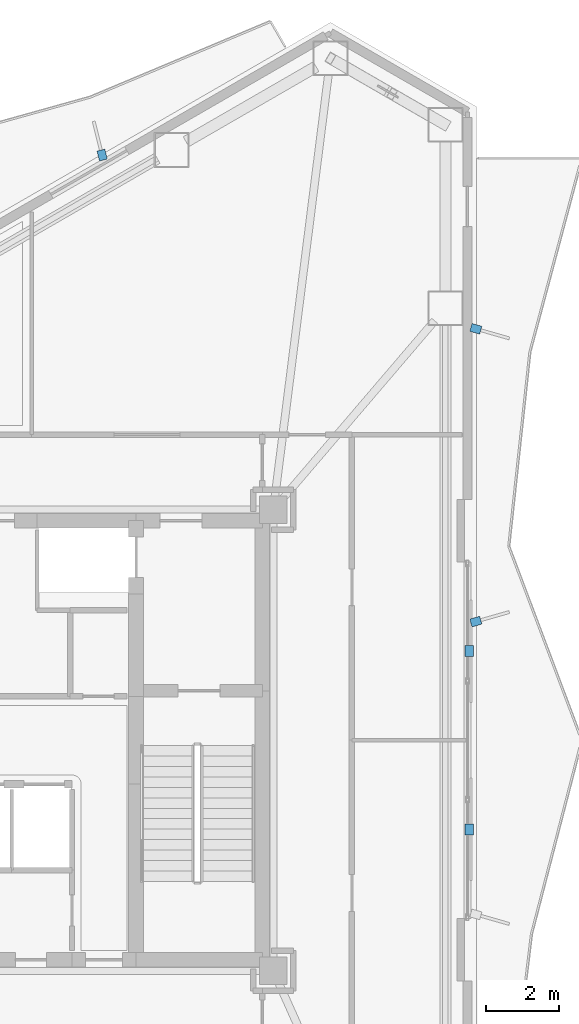
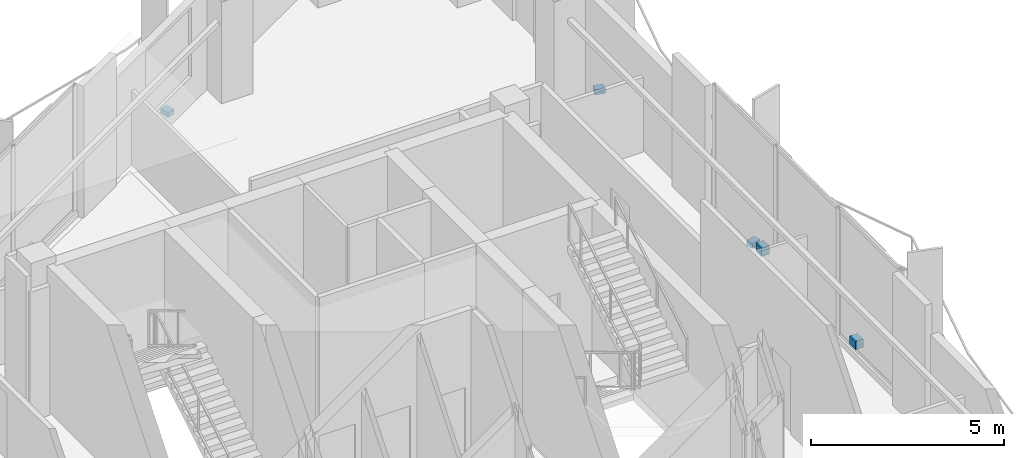
# One storey, part 16 of 18: 5 discrete accessories.
"""IFC4 building model written with IfcOpenShell, lengths in metres."""

import ifcopenshell
import ifcopenshell.guid

model = None  # the IFC model being written
_history = None  # IfcOwnerHistory: only IFC2X3 demands one
_inside = {}  # id of a spatial element -> (the spatial element, [elements in it])
_under = {}  # id of a project, library or spatial element -> (it, [spatial elements below it])
_declared = {}  # id of a project -> (the project, [libraries it declares])
_typed = {}  # id of a type object -> (the type object, [elements of that type])
_made_of = {}  # id of a material, layer set ... -> (it, [elements and type objects made of it])


def new_model(schema):
    """Start an empty IFC model of exactly this schema.

    Asked for "IFC4X3", IfcOpenShell would pick the latest addendum, in which some entities
    have other attributes; the version numbers below select the first issue.
    IFC2X3 requires an IfcOwnerHistory on every rooted entity: one is made here for all.
    """
    global model, _history
    if schema == "IFC4X3":
        model = ifcopenshell.file(schema_version=(4, 3, 0, 0))
    else:
        model = ifcopenshell.file(schema=schema)
    _inside.clear()
    _under.clear()
    _declared.clear()
    _typed.clear()
    _made_of.clear()
    _history = None
    if model.schema == "IFC2X3":
        org = make("IfcOrganization", Name="unknown")
        user = make(
            "IfcPersonAndOrganization",
            ThePerson=make("IfcPerson", FamilyName="unknown"),
            TheOrganization=org,
        )
        app = make(
            "IfcApplication",
            ApplicationDeveloper=org,
            Version="unknown",
            ApplicationFullName="unknown",
            ApplicationIdentifier="unknown",
        )
        _history = make(
            "IfcOwnerHistory",
            OwningUser=user,
            OwningApplication=app,
            ChangeAction="ADDED",
            CreationDate=0,
        )
    return model


def make(cls, **values):
    """One entity of the class cls with the attributes given. An attribute that is None is left unset."""
    return model.create_entity(
        cls, **{name: value for name, value in values.items() if value is not None}
    )


def rooted(cls, **values):
    """An entity with a GlobalId (a new one), such as an element, a storey or a relation."""
    return make(cls, GlobalId=ifcopenshell.guid.new(), OwnerHistory=_history, **values)


def si_unit(unit_type, name, prefix=None):
    """IfcSIUnit, for example si_unit("LENGTHUNIT", "METRE", prefix="MILLI")."""
    return make("IfcSIUnit", UnitType=unit_type, Prefix=prefix, Name=name)


def assignment(units):
    """IfcUnitAssignment: the units of a project."""
    return None if units is None else make("IfcUnitAssignment", Units=units)


def point(xyz):
    """IfcCartesianPoint."""
    return None if xyz is None else make("IfcCartesianPoint", Coordinates=xyz)


def direction(xyz):
    """IfcDirection."""
    return None if xyz is None else make("IfcDirection", DirectionRatios=xyz)


def frame(location, z_axis=None, x_axis=None):
    """IfcAxis2Placement3D, a coordinate frame: its origin and axes. An axis left out is left unset."""
    return make(
        "IfcAxis2Placement3D",
        Location=point(location),
        Axis=direction(z_axis),
        RefDirection=direction(x_axis),
    )


def frame_2d(location, x_axis=None):
    """IfcAxis2Placement2D, a coordinate frame in the plane: its origin and x axis."""
    return make(
        "IfcAxis2Placement2D", Location=point(location), RefDirection=direction(x_axis)
    )


def origin():
    """The frame at (0, 0, 0) with its axes left unset."""
    return frame((0.0, 0.0, 0.0))


def origin_2d():
    """The frame at (0, 0) in the plane with its x axis left unset."""
    return frame_2d((0.0, 0.0))


def place(relative_to, where):
    """IfcLocalPlacement: puts the frame where relative to a parent placement (None: the world)."""
    return make(
        "IfcLocalPlacement", PlacementRelTo=relative_to, RelativePlacement=where
    )


def context(
    kind, dimensions, precision=None, world=None, true_north=None, identifier=None
):
    """IfcGeometricRepresentationContext, for example the 3D "Model" context."""
    return make(
        "IfcGeometricRepresentationContext",
        ContextIdentifier=identifier,
        ContextType=kind,
        CoordinateSpaceDimension=dimensions,
        Precision=precision,
        WorldCoordinateSystem=world,
        TrueNorth=true_north,
    )


def subcontext(parent, identifier, kind, view, scale=None):
    """IfcGeometricRepresentationSubContext, for example "Body" below "Model"."""
    return make(
        "IfcGeometricRepresentationSubContext",
        ContextIdentifier=identifier,
        ContextType=kind,
        ParentContext=parent,
        TargetScale=scale,
        TargetView=view,
    )


def project(units=None, contexts=None):
    """IfcProject with its units and contexts."""
    return rooted(
        "IfcProject",
        Name="project",
        RepresentationContexts=contexts,
        UnitsInContext=assignment(units),
    )


def spatial(cls, under=None, at=None, **own):
    """A site, building, storey or space (cls), placed at a placement, below another one or the project."""
    s = rooted(cls, ObjectPlacement=at, **own)
    if under is not None:
        _under.setdefault(under.id(), (under, []))[1].append(s)
    return s


def profile(cls, at=None, kind="AREA", **sizes):
    """A parametric profile (cls). Its sizes go by their IFC names, for example OverallWidth=200.0."""
    return make(cls, ProfileType=kind, Position=at, **sizes)


def rectangle(**sizes):
    """IfcRectangleProfileDef."""
    return profile("IfcRectangleProfileDef", **sizes)


def extrude(swept, where, along, depth):
    """IfcExtrudedAreaSolid: the profile swept, set in the frame where, extruded along a direction by depth."""
    return make(
        "IfcExtrudedAreaSolid",
        SweptArea=swept,
        Position=where,
        ExtrudedDirection=direction(along),
        Depth=depth,
    )


def shape(context_of_items, identifier, shape_type, items):
    """IfcShapeRepresentation: the items that make up one representation, for example the "Body"."""
    return make(
        "IfcShapeRepresentation",
        ContextOfItems=context_of_items,
        RepresentationIdentifier=identifier,
        RepresentationType=shape_type,
        Items=items,
    )


def material(Name=None, Category=None):
    """IfcMaterial."""
    return make("IfcMaterial", Name=Name, Category=Category)


def layer(
    of_material, thickness, ventilated=None, Name=None, Category=None, Priority=None
):
    """IfcMaterialLayer: one layer of a wall or slab, of a material (None: an air gap)."""
    return make(
        "IfcMaterialLayer",
        Material=of_material,
        LayerThickness=thickness,
        IsVentilated=ventilated,
        Name=Name,
        Category=Category,
        Priority=Priority,
    )


def layer_set(layers, Name=None):
    """IfcMaterialLayerSet."""
    return make("IfcMaterialLayerSet", MaterialLayers=layers, LayerSetName=Name)


def made_of(thing, what):
    """Note that an element or type object is made of a material, layer set ...; save() writes the relation."""
    if what is not None:
        _made_of.setdefault(what.id(), (what, []))[1].append(thing)
    return thing


def type_object(cls, material=None, **own):
    """A type object (cls), such as IfcWallType, which elements share."""
    return made_of(rooted(cls, **own), material)


def element(
    cls,
    number,
    at=None,
    inside=None,
    cuts=None,
    type_object=None,
    material=None,
    context=None,
    identifier="Body",
    shape_type=None,
    held_by="IfcProductDefinitionShape",
    body=None,
    shapes=None,
    **own,
):
    """One element of the class cls, such as IfcWall. Its Tag is "e" and its number.

    at: its placement. inside: the storey or other place that contains it. cuts: it is an
    opening in that element (IfcRelVoidsElement). A single representation is given by context,
    identifier, shape_type and body (its items); several are given by shapes. held_by: the class
    of the entity that holds the representations. save() writes the other relations.
    """
    e = rooted(cls, Tag="e%d" % number, ObjectPlacement=at, **own)
    if body is not None:
        shapes = [shape(context, identifier, shape_type, body)]
    if shapes is not None:
        e.Representation = make(held_by, Representations=shapes)
    if inside is not None:
        _inside.setdefault(inside.id(), (inside, []))[1].append(e)
    if cuts is not None:
        rooted(
            "IfcRelVoidsElement", RelatingBuildingElement=cuts, RelatedOpeningElement=e
        )
    if type_object is not None:
        _typed.setdefault(type_object.id(), (type_object, []))[1].append(e)
    return made_of(e, material)


def aggregate(whole, parts):
    """IfcRelAggregates: a whole, such as a stair, and the parts it consists of."""
    return rooted("IfcRelAggregates", RelatingObject=whole, RelatedObjects=parts)


def save(model, path):
    """Write the relations noted so far, then the file.

    IfcRelAggregates (storeys below a building ...), IfcRelContainedInSpatialStructure (elements
    in a storey), IfcRelDefinesByType, IfcRelAssociatesMaterial and IfcRelDeclares: one each for
    every whole, place, type object, material and project.
    """
    for whole, parts in _under.values():
        aggregate(whole, parts)
    for where, things in _inside.values():
        rooted(
            "IfcRelContainedInSpatialStructure",
            RelatedElements=things,
            RelatingStructure=where,
        )
    for kind, things in _typed.values():
        rooted("IfcRelDefinesByType", RelatedObjects=things, RelatingType=kind)
    for what, things in _made_of.values():
        rooted("IfcRelAssociatesMaterial", RelatedObjects=things, RelatingMaterial=what)
    for by, libraries in _declared.values():
        rooted("IfcRelDeclares", RelatingContext=by, RelatedDefinitions=libraries)
    model.write(path)


model = new_model("IFC4")

# Units and contexts
model_context = context("Model", 3, precision=1e-05, world=origin(), true_north=direction((0.0, 1.0)))
body_context = subcontext(model_context, "Body", "Model", "MODEL_VIEW")
ifc_project = project(units=[si_unit("LENGTHUNIT", "METRE"), si_unit("AREAUNIT", "SQUARE_METRE"), si_unit("VOLUMEUNIT", "CUBIC_METRE"), si_unit("PLANEANGLEUNIT", "RADIAN"), si_unit("MASSUNIT", "GRAM", prefix="KILO")], contexts=[model_context])

# Site, building, storey
site_placement = place(None, origin())
site = spatial("IfcSite", under=ifc_project, at=site_placement, CompositionType="ELEMENT")
building_placement = place(site_placement, origin())
building = spatial("IfcBuilding", under=site, at=building_placement, Name="Mersakhor Tower and Convention Hall", CompositionType="ELEMENT")
storey_placement = place(building_placement, frame((0.0, 0.0, 170.699951171875)))
storey = spatial("IfcBuildingStorey", under=building, at=storey_placement, Name="L47", CompositionType="ELEMENT", Elevation=170.699951171875)

# Discrete accessories
ifc_material = material(Name="Galvanised steel bracket", Category="steel")
ifc_layer = layer(ifc_material, 0.02001953125)
ifc_layer_set = layer_set([ifc_layer], Name="Galvanised steel bracket")
discrete_accessory_type = type_object("IfcDiscreteAccessoryType", Name="ACC-BRK-STL", PredefinedType="BRACKET", material=ifc_layer_set)
discrete_accessory_placement = place(storey_placement, frame((31.423095703125, 42.7373046875, -0.02001953125), z_axis=(0.0, 0.0, 1.0), x_axis=(-0.2419218956, 0.970295726276, 0.0)))
element("IfcDiscreteAccessory", 1, at=discrete_accessory_placement, inside=storey, type_object=discrete_accessory_type, Name="L47 Facade Fin Base Cleat Bracket FBRK-1-3", PredefinedType="BRACKET", context=body_context, shape_type="SweptSolid", body=[
    extrude(rectangle(XDim=0.280029296875, YDim=0.219970703125, at=origin_2d()), origin(), (0.0, 0.0, 1.0), 0.159912109375),
])
for number, where, z_axis, x_axis, name in (
    (2, (41.453857421875, 29.185546875, 0.2900390625), (0.0, 0.0, 1.0), (0.0, -1.0, 0.0), "L47 Solar Screen Outrigger Bracket BRK-2-1"),
    (3, (41.453857421875, 24.314453125, 0.2900390625), (0.0, 0.0, 1.0), (0.0, -1.0, 0.0), "L47 Solar Screen Outrigger Bracket BRK-2-2"),
):
    element("IfcDiscreteAccessory", number, at=place(storey_placement, frame(where, z_axis=z_axis, x_axis=x_axis)), inside=storey, type_object=discrete_accessory_type, Name=name, PredefinedType="BRACKET", context=body_context, shape_type="SweptSolid", body=[
        extrude(rectangle(XDim=0.300048828125, YDim=0.239990234375, at=origin_2d()), origin(), (0.0, 0.0, 1.0), 0.260009765625),
    ])
for number, where, z_axis, x_axis, name in (
    (4, (41.6337890625, 37.9912109375, -0.02001953125), (0.0, 0.0, 1.0), (0.961261695938, -0.275637355817, 0.0), "L47 Facade Fin Base Cleat Bracket FBRK-2-1"),
    (5, (41.6337890625, 29.9912109375, -0.02001953125), (0.0, 0.0, 1.0), (0.961261695938, 0.275637355817, 0.0), "L47 Facade Fin Base Cleat Bracket FBRK-2-2"),
):
    element("IfcDiscreteAccessory", number, at=place(storey_placement, frame(where, z_axis=z_axis, x_axis=x_axis)), inside=storey, type_object=discrete_accessory_type, Name=name, PredefinedType="BRACKET", context=body_context, shape_type="SweptSolid", body=[
        extrude(rectangle(XDim=0.280029296875, YDim=0.219970703125, at=origin_2d()), origin(), (0.0, 0.0, 1.0), 0.159912109375),
    ])

save(model, "model.ifc")
